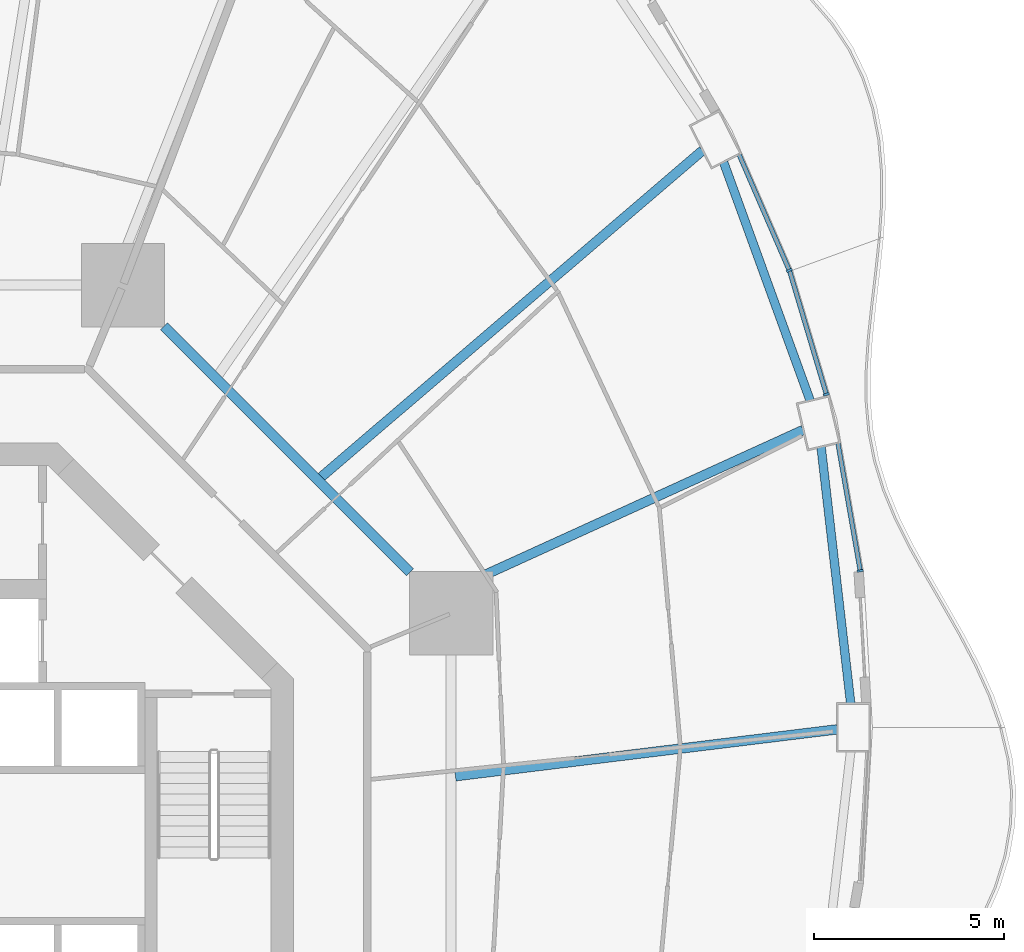
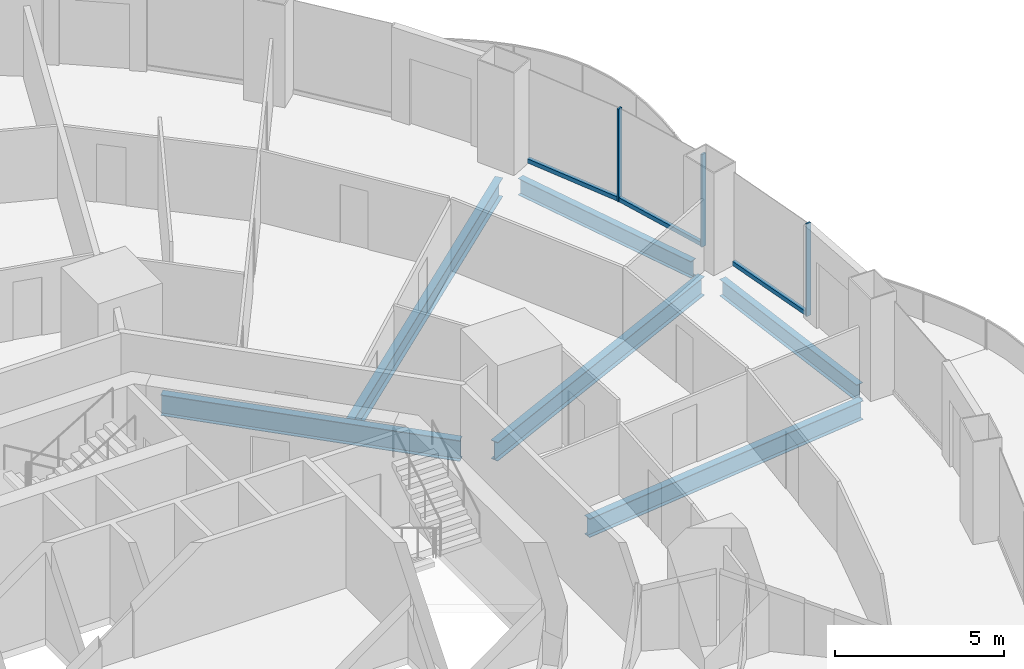
# One storey, part 10 of 23: 6 beams, 6 members, 3 elements without a shape of their own.
"""IFC4 building model written with IfcOpenShell, lengths in metres."""

from ifc_helpers import new_model, si_unit, direction, frame, origin, origin_2d, place, context, subcontext, project, spatial, rectangle, i_section, extrude, material, layer, layer_set, material_profile, profile_set, type_object, element, aggregate, save


model = new_model("IFC4")

# Units and contexts
model_context = context("Model", 3, precision=1e-05, world=origin(), true_north=direction((0.0, 1.0)))
body_context = subcontext(model_context, "Body", "Model", "MODEL_VIEW")
ifc_project = project(units=[si_unit("LENGTHUNIT", "METRE"), si_unit("AREAUNIT", "SQUARE_METRE"), si_unit("VOLUMEUNIT", "CUBIC_METRE"), si_unit("PLANEANGLEUNIT", "RADIAN"), si_unit("MASSUNIT", "GRAM", prefix="KILO")], contexts=[model_context])

# Site, building, storey
site_placement = place(None, origin())
site = spatial("IfcSite", under=ifc_project, at=site_placement, CompositionType="ELEMENT")
building_placement = place(site_placement, origin())
building = spatial("IfcBuilding", under=site, at=building_placement, Name="Nagisa Residences", CompositionType="ELEMENT")
storey_placement = place(building_placement, frame((0.0, 0.0, 110.300048828125)))
storey = spatial("IfcBuildingStorey", under=building, at=storey_placement, Name="L27", CompositionType="ELEMENT", Elevation=110.300048828125)

# Curtain wall, member
ifc_material_1 = material(Name="Concrete-coloured aluminium curtain wall system", Category="concrete")
ifc_layer = layer(ifc_material_1, 0.159912109375)
ifc_layer_set = layer_set([ifc_layer], Name="CW1 CURTAIN WALL")
curtain_wall_type = type_object("IfcCurtainWallType", Name="CW1 CURTAIN WALL", PredefinedType="NOTDEFINED", material=ifc_layer_set)
curtain_wall_1_placement = place(storey_placement, origin())
curtain_wall_1 = element("IfcCurtainWall", 1, at=curtain_wall_1_placement, inside=storey, type_object=curtain_wall_type, Name="cw:CW1:L27:01", PredefinedType="NOTDEFINED")
ifc_material_2 = material(Name="Concrete-coloured aluminium", Category="concrete")
ifc_material_profile_1 = material_profile(ifc_material_2, rectangle(XDim=0.159912109375, YDim=0.06005859375, at=origin_2d()), Name="CW1 MULLION 160x60")
ifc_profile_set_1 = profile_set([ifc_material_profile_1], Name="Concrete-coloured aluminium")
member_type_1 = type_object("IfcMemberType", Name="CW1 MULLION 160x60", PredefinedType="MULLION", material=ifc_profile_set_1)
member_1_placement = place(storey_placement, frame((25.573974609375, 7.2470703125, 0.0), z_axis=(0.0, 0.0, 1.0), x_axis=(-0.985063604377, -0.172190868898, 0.0)))
member_1 = element("IfcMember", 2, at=member_1_placement, type_object=member_type_1, Name="CW1 mullion", PredefinedType="MULLION", context=body_context, shape_type="SweptSolid", body=[
    extrude(rectangle(XDim=0.159912109375, YDim=0.06005859375, at=origin_2d()), origin(), (0.0, 0.0, 1.0), 3.349853515625),
])

curtain_wall_2_placement = place(storey_placement, origin())
curtain_wall_2 = element("IfcCurtainWall", 3, at=curtain_wall_2_placement, inside=storey, type_object=curtain_wall_type, Name="cw:CW1:L27:02", PredefinedType="NOTDEFINED")
member_2_placement = place(storey_placement, frame((24.68017578125, 11.903076171875, 0.0), z_axis=(0.0, 0.0, 1.0), x_axis=(-0.958271310082, -0.285860274038, 0.0)))
member_2 = element("IfcMember", 4, at=member_2_placement, type_object=member_type_1, Name="CW1 mullion", PredefinedType="MULLION", context=body_context, shape_type="SweptSolid", body=[
    extrude(rectangle(XDim=0.159912109375, YDim=0.06005859375, at=origin_2d()), origin(), (0.0, 0.0, 1.0), 3.349853515625),
])

curtain_wall_3_placement = place(storey_placement, origin())
curtain_wall_3 = element("IfcCurtainWall", 5, at=curtain_wall_3_placement, inside=storey, type_object=curtain_wall_type, Name="cw:CW1:L27:03", PredefinedType="NOTDEFINED")
member_3_placement = place(storey_placement, frame((23.701416015625, 15.173583984375, 0.0), z_axis=(0.0, 0.0, 1.0), x_axis=(-0.917543276295, -0.397635934147, 0.0)))
member_3 = element("IfcMember", 6, at=member_3_placement, type_object=member_type_1, Name="CW1 mullion", PredefinedType="MULLION", context=body_context, shape_type="SweptSolid", body=[
    extrude(rectangle(XDim=0.159912109375, YDim=0.06005859375, at=origin_2d()), origin(), (0.0, 0.0, 1.0), 3.349853515625),
])

# Member
ifc_material_3 = material(Name="Concrete-coloured aluminium", Category="concrete")
ifc_material_profile_2 = material_profile(ifc_material_3, rectangle(XDim=0.1201171875, YDim=0.14990234375, at=origin_2d()), Name="CW1 TRANSOM 120x150")
ifc_profile_set_2 = profile_set([ifc_material_profile_2], Name="Concrete-coloured aluminium")
member_type_2 = type_object("IfcMemberType", Name="CW1 TRANSOM 120x150", PredefinedType="USERDEFINED", material=ifc_profile_set_2)
member_4_placement = place(storey_placement, frame((25.579345703125, 7.217529296875, 0.074951171875), z_axis=(-0.17223289558, 0.985056257114, 0.0), x_axis=(-0.985056257114, -0.17223289558, 0.0)))
member_4 = element("IfcMember", 7, at=member_4_placement, type_object=member_type_2, Name="CW1 transom", ObjectType="TRANSOM", PredefinedType="USERDEFINED", context=body_context, shape_type="SweptSolid", body=[
    extrude(rectangle(XDim=0.1201171875, YDim=0.14990234375, at=origin_2d()), origin(), (0.0, 0.0, 1.0), 3.454345703125),
])

aggregate(curtain_wall_1, [member_1, member_4])

member_5_placement = place(storey_placement, frame((24.68896484375, 11.874267578125, 0.074951171875), z_axis=(-0.285882094477, 0.958264800594, 0.0), x_axis=(-0.958264800594, -0.285882094477, 0.0)))
member_5 = element("IfcMember", 8, at=member_5_placement, type_object=member_type_2, Name="CW1 transom", ObjectType="TRANSOM", PredefinedType="USERDEFINED", context=body_context, shape_type="SweptSolid", body=[
    extrude(rectangle(XDim=0.1201171875, YDim=0.14990234375, at=origin_2d()), origin(), (0.0, 0.0, 1.0), 3.423583984375),
])

aggregate(curtain_wall_2, [member_2, member_5])

member_6_placement = place(storey_placement, frame((23.71337890625, 15.146240234375, 0.074951171875), z_axis=(-0.397621629246, 0.917549475481, 0.0), x_axis=(-0.917549475481, -0.397621629246, 0.0)))
member_6 = element("IfcMember", 9, at=member_6_placement, type_object=member_type_2, Name="CW1 transom", ObjectType="TRANSOM", PredefinedType="USERDEFINED", context=body_context, shape_type="SweptSolid", body=[
    extrude(rectangle(XDim=0.1201171875, YDim=0.14990234375, at=origin_2d()), origin(), (0.0, 0.0, 1.0), 3.37939453125),
])

aggregate(curtain_wall_3, [member_3, member_6])

# Beams
ifc_material_4 = material(Name="Steel ASTM A572 Gr 50", Category="steel")
ifc_material_profile_3 = material_profile(ifc_material_4, i_section(OverallWidth=0.264892578125, OverallDepth=0.7529296875, WebThickness=0.01318359375, FlangeThickness=0.01708984375, at=origin_2d()), Name="W760x147")
ifc_profile_set_3 = profile_set([ifc_material_profile_3], Name="Steel ASTM A572 Gr 50")
beam_type_1 = type_object("IfcBeamType", Name="Inner ring beam W760x147", PredefinedType="BEAM", material=ifc_profile_set_3)
beam_1_placement = place(storey_placement, frame((13.6962890625, 7.208740234375, -0.636474609375), z_axis=(-0.707106781187, 0.707106781187, 0.0), x_axis=(-0.707106781187, -0.707106781187, 0.0)))
element("IfcBeam", 10, at=beam_1_placement, inside=storey, type_object=beam_type_1, Name="beam:L27:ib1", PredefinedType="BEAM", context=body_context, shape_type="SweptSolid", body=[
    extrude(i_section(OverallWidth=0.264892578125, OverallDepth=0.7529296875, WebThickness=0.01318359375, FlangeThickness=0.01708984375, at=origin_2d()), origin(), (0.0, 0.0, 1.0), 9.1748046875),
])
ifc_material_5 = material(Name="Steel ASTM A572 Gr 50", Category="steel")
ifc_material_profile_4 = material_profile(ifc_material_5, i_section(OverallWidth=0.22802734375, OverallDepth=0.60302734375, WebThickness=0.010498046875, FlangeThickness=0.014892578125, at=origin_2d()), Name="W610x101")
ifc_profile_set_4 = profile_set([ifc_material_profile_4], Name="Steel ASTM A572 Gr 50")
beam_type_2 = type_object("IfcBeamType", Name="Perimeter ring beam W610x101", PredefinedType="BEAM", material=ifc_profile_set_4)
beam_2_placement = place(storey_placement, frame((25.322265625, 3.747802734375, -0.5615234375), z_axis=(-0.114690766503, 0.993401242237, 0.0), x_axis=(-0.993401242237, -0.114690766503, 0.0)))
element("IfcBeam", 11, at=beam_2_placement, inside=storey, type_object=beam_type_2, Name="beam:L27:pb01", PredefinedType="BEAM", context=body_context, shape_type="SweptSolid", body=[
    extrude(i_section(OverallWidth=0.22802734375, OverallDepth=0.60302734375, WebThickness=0.010498046875, FlangeThickness=0.014892578125, at=origin_2d()), origin(), (0.0, 0.0, 1.0), 6.811767578125),
])
beam_3_placement = place(storey_placement, frame((24.251708984375, 11.7412109375, -0.5615234375), z_axis=(-0.341365002286, 0.939930814057, 0.0), x_axis=(-0.939930814057, -0.341365002286, 0.0)))
element("IfcBeam", 12, at=beam_3_placement, inside=storey, type_object=beam_type_2, Name="beam:L27:pb02", PredefinedType="BEAM", context=body_context, shape_type="SweptSolid", body=[
    extrude(i_section(OverallWidth=0.22802734375, OverallDepth=0.60302734375, WebThickness=0.010498046875, FlangeThickness=0.014892578125, at=origin_2d()), origin(), (0.0, 0.0, 1.0), 6.689208984375),
])
ifc_material_6 = material(Name="Steel ASTM A572 Gr 50", Category="steel")
ifc_material_profile_5 = material_profile(ifc_material_6, i_section(OverallWidth=0.2529296875, OverallDepth=0.677978515625, WebThickness=0.01171875, FlangeThickness=0.016357421875, at=origin_2d()), Name="W690x125")
ifc_profile_set_5 = profile_set([ifc_material_profile_5], Name="Steel ASTM A572 Gr 50")
beam_type_3 = type_object("IfcBeamType", Name="Radial beam W690x125", PredefinedType="BEAM", material=ifc_profile_set_5)
beam_4_placement = place(storey_placement, frame((24.96484375, 3.06494140625, -0.59912109375), z_axis=(-0.992547591761, -0.121857614, 0.0), x_axis=(0.121857614, -0.992547591761, 0.0)))
element("IfcBeam", 13, at=beam_4_placement, inside=storey, type_object=beam_type_3, Name="beam:L27:rb01", PredefinedType="BEAM", context=body_context, shape_type="SweptSolid", body=[
    extrude(i_section(OverallWidth=0.2529296875, OverallDepth=0.677978515625, WebThickness=0.01171875, FlangeThickness=0.016357421875, at=origin_2d()), origin(), (0.0, 0.0, 1.0), 10.145751953125),
])
beam_5_placement = place(storey_placement, frame((24.069091796875, 10.963134765625, -0.59912109375), z_axis=(-0.91004744246, -0.414504104288, 0.0), x_axis=(0.414504104288, -0.91004744246, 0.0)))
element("IfcBeam", 14, at=beam_5_placement, inside=storey, type_object=beam_type_3, Name="beam:L27:rb02", PredefinedType="BEAM", context=body_context, shape_type="SweptSolid", body=[
    extrude(i_section(OverallWidth=0.2529296875, OverallDepth=0.677978515625, WebThickness=0.01171875, FlangeThickness=0.016357421875, at=origin_2d()), origin(), (0.0, 0.0, 1.0), 10.544189453125),
])
beam_6_placement = place(storey_placement, frame((21.4150390625, 18.3369140625, -0.59912109375), z_axis=(-0.759585472841, -0.650407494921, 0.0), x_axis=(0.650407494921, -0.759585472841, 0.0)))
element("IfcBeam", 15, at=beam_6_placement, inside=storey, type_object=beam_type_3, Name="beam:L27:rb03", PredefinedType="BEAM", context=body_context, shape_type="SweptSolid", body=[
    extrude(i_section(OverallWidth=0.2529296875, OverallDepth=0.677978515625, WebThickness=0.01171875, FlangeThickness=0.016357421875, at=origin_2d()), origin(), (0.0, 0.0, 1.0), 13.25390625),
])

save(model, "model.ifc")
